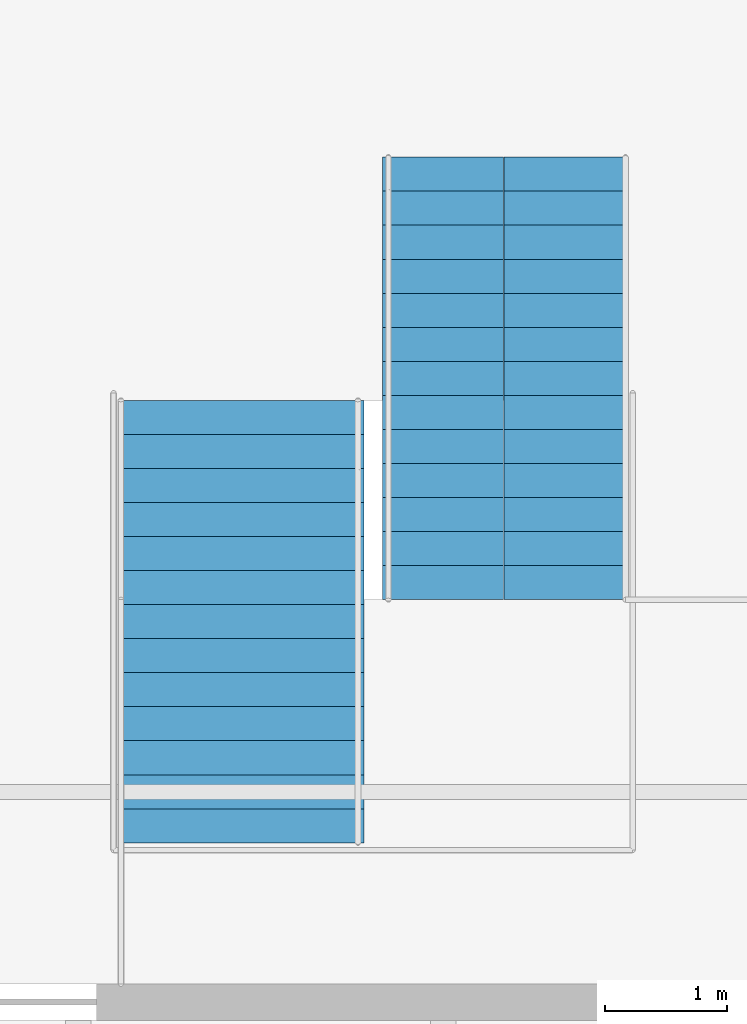
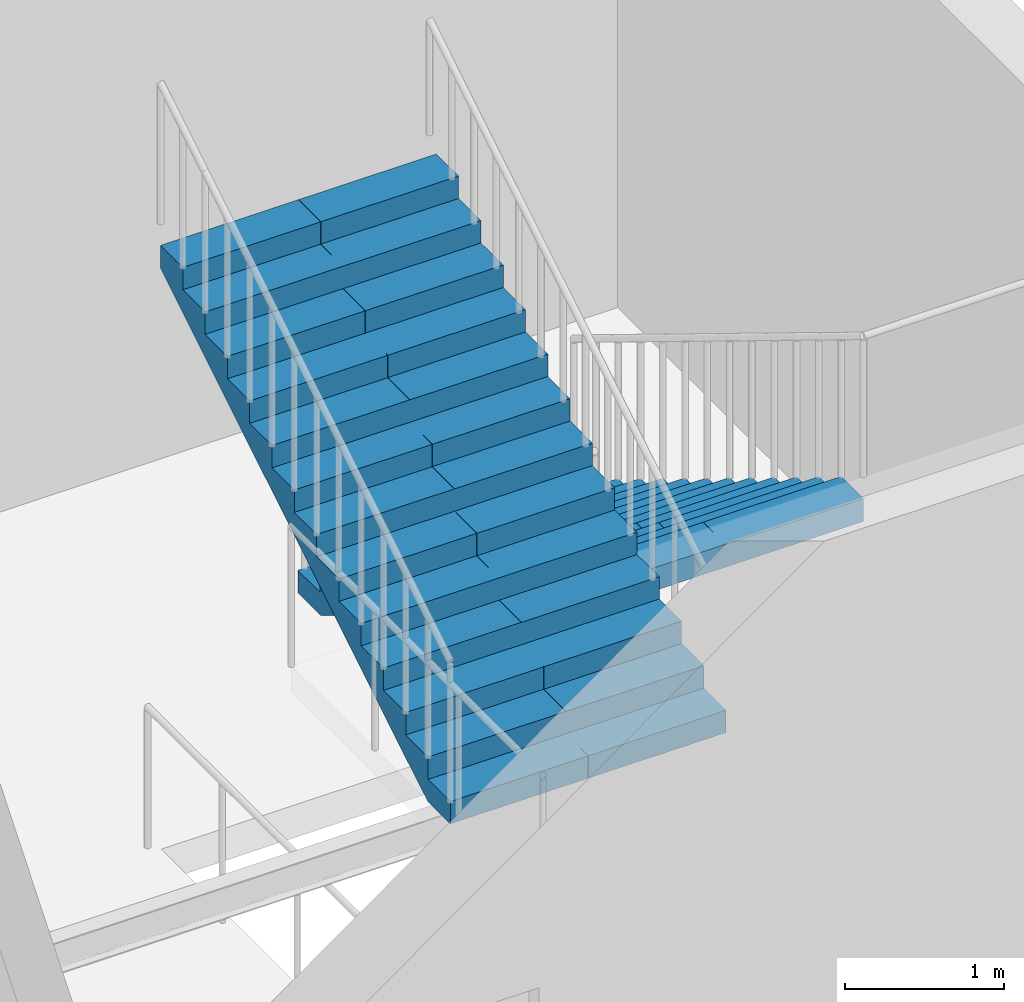
# One storey, part 22 of 31: 2 stair flights, 1 element without a shape of its own.
"""IFC4 building model written with IfcOpenShell, lengths in metres."""

from ifc_helpers import new_model, si_unit, direction, frame, origin, place, context, subcontext, project, spatial, polyline, outline, extrude, material, type_object, element, aggregate, save


model = new_model("IFC4")

# Units and contexts
model_context = context("Model", 3, precision=1e-05, world=origin(), true_north=direction((0.0, 1.0)))
body_context = subcontext(model_context, "Body", "Model", "MODEL_VIEW")
ifc_project = project(units=[si_unit("LENGTHUNIT", "METRE"), si_unit("AREAUNIT", "SQUARE_METRE"), si_unit("VOLUMEUNIT", "CUBIC_METRE"), si_unit("PLANEANGLEUNIT", "RADIAN"), si_unit("MASSUNIT", "GRAM", prefix="KILO")], contexts=[model_context])

# Site, building, storey
site_placement = place(None, origin())
site = spatial("IfcSite", under=ifc_project, at=site_placement, CompositionType="ELEMENT")
building_placement = place(site_placement, origin())
building = spatial("IfcBuilding", under=site, at=building_placement, Name="Halyard Row Museum", CompositionType="ELEMENT")
storey_placement = place(building_placement, frame((0.0, 0.0, -4.800048828125)))
storey = spatial("IfcBuildingStorey", under=building, at=storey_placement, Name="B1", CompositionType="ELEMENT", Elevation=-4.800048828125)

# Stair, stair flights
ifc_material_1 = material(Name="Concrete 40 MPa", Category="concrete")
stair_type = type_object("IfcStairType", Name="Exit stair two flights 2000", PredefinedType="HALF_TURN_STAIR", material=ifc_material_1)
stair_placement = place(storey_placement, origin())
stair = element("IfcStair", 1, at=stair_placement, inside=storey, type_object=stair_type, Name="Exit stair K5B B1", PredefinedType="HALF_TURN_STAIR")
ifc_material_2 = material(Name="Concrete 40 MPa", Category="concrete")
stair_flight_type = type_object("IfcStairFlightType", Name="Exit stair flight 2000", PredefinedType="STRAIGHT", material=ifc_material_2)
stair_flight_1_placement = place(storey_placement, frame((105.5, 61.10009765625, 0.0), z_axis=(0.0, 0.0, 1.0), x_axis=(0.0, -1.0, 0.0)))
stair_flight_1 = element("IfcStairFlight", 2, at=stair_flight_1_placement, type_object=stair_flight_type, Name="STK5B-B1 flight 1", NumberOfRisers=14, NumberOfTreads=13, PredefinedType="STRAIGHT", RiserHeight=0.171428571, TreadLength=0.28, context=body_context, shape_type="SweptSolid", body=[
    extrude(outline(polyline([(0.0, 0.0), (0.0, 0.17138671875), (0.280029296875, 0.17138671875), (0.280029296875, 0.3427734375), (0.56005859375, 0.3427734375), (0.56005859375, 0.514404296875), (0.840087890625, 0.514404296875), (0.840087890625, 0.685791015625), (1.1201171875, 0.685791015625), (1.1201171875, 0.857177734375), (1.39990234375, 0.857177734375), (1.39990234375, 1.028564453125), (1.679931640625, 1.028564453125), (1.679931640625, 1.199951171875), (1.9599609375, 1.199951171875), (1.9599609375, 1.371337890625), (2.239990234375, 1.371337890625), (2.239990234375, 1.54296875), (2.52001953125, 1.54296875), (2.52001953125, 1.71435546875), (2.800048828125, 1.71435546875), (2.800048828125, 1.8857421875), (3.080078125, 1.8857421875), (3.080078125, 2.05712890625), (3.360107421875, 2.05712890625), (3.360107421875, 2.228515625), (3.639892578125, 2.228515625), (3.639892578125, 2.39990234375), (3.639892578125, 2.052734375), (0.287109375, 0.0), (0.0, 0.0)])), frame((0.0, 1.0, 0.0), z_axis=(0.0, -1.0, 0.0), x_axis=(1.0, 0.0, 0.0)), (0.0, 0.0, 1.0), 0.9990234375),
    extrude(outline(polyline([(0.0, 0.0), (0.0, 0.17138671875), (0.280029296875, 0.17138671875), (0.280029296875, 0.3427734375), (0.56005859375, 0.3427734375), (0.56005859375, 0.514404296875), (0.840087890625, 0.514404296875), (0.840087890625, 0.685791015625), (1.1201171875, 0.685791015625), (1.1201171875, 0.857177734375), (1.39990234375, 0.857177734375), (1.39990234375, 1.028564453125), (1.679931640625, 1.028564453125), (1.679931640625, 1.199951171875), (1.9599609375, 1.199951171875), (1.9599609375, 1.371337890625), (2.239990234375, 1.371337890625), (2.239990234375, 1.54296875), (2.52001953125, 1.54296875), (2.52001953125, 1.71435546875), (2.800048828125, 1.71435546875), (2.800048828125, 1.8857421875), (3.080078125, 1.8857421875), (3.080078125, 2.05712890625), (3.360107421875, 2.05712890625), (3.360107421875, 2.228515625), (3.639892578125, 2.228515625), (3.639892578125, 2.39990234375), (3.639892578125, 2.052734375), (0.287109375, 0.0), (0.0, 0.0)])), frame((0.0, -0.0009765625, 0.0), z_axis=(0.0, -1.0, 0.0), x_axis=(1.0, 0.0, 0.0)), (0.0, 0.0, 1.0), 0.9990234375),
])
stair_flight_2_placement = place(storey_placement, frame((103.35009765625, 55.4599609375, 2.400146484375), z_axis=(0.0, 0.0, 1.0), x_axis=(0.0, 1.0, 0.0)))
stair_flight_2 = element("IfcStairFlight", 3, at=stair_flight_2_placement, type_object=stair_flight_type, Name="STK5B-B1 flight 2", NumberOfRisers=14, NumberOfTreads=13, PredefinedType="STRAIGHT", RiserHeight=0.171428571, TreadLength=0.28, context=body_context, shape_type="SweptSolid", body=[
    extrude(outline(polyline([(0.0, 0.0), (0.0, 0.17138671875), (0.280029296875, 0.17138671875), (0.280029296875, 0.3427734375), (0.56005859375, 0.3427734375), (0.56005859375, 0.514404296875), (0.840087890625, 0.514404296875), (0.840087890625, 0.685791015625), (1.1201171875, 0.685791015625), (1.1201171875, 0.857177734375), (1.39990234375, 0.857177734375), (1.39990234375, 1.028564453125), (1.679931640625, 1.028564453125), (1.679931640625, 1.199951171875), (1.9599609375, 1.199951171875), (1.9599609375, 1.371337890625), (2.239990234375, 1.371337890625), (2.239990234375, 1.54296875), (2.52001953125, 1.54296875), (2.52001953125, 1.71435546875), (2.800048828125, 1.71435546875), (2.800048828125, 1.8857421875), (3.080078125, 1.8857421875), (3.080078125, 2.05712890625), (3.360107421875, 2.05712890625), (3.360107421875, 2.228515625), (3.639892578125, 2.228515625), (3.639892578125, 2.39990234375), (3.639892578125, 2.052734375), (0.287109375, 0.0), (0.0, 0.0)])), frame((0.0, 1.0, 0.0), z_axis=(0.0, -1.0, 0.0), x_axis=(1.0, 0.0, 0.0)), (0.0, 0.0, 1.0), 0.9990234375),
    extrude(outline(polyline([(0.0, 0.0), (0.0, 0.17138671875), (0.280029296875, 0.17138671875), (0.280029296875, 0.3427734375), (0.56005859375, 0.3427734375), (0.56005859375, 0.514404296875), (0.840087890625, 0.514404296875), (0.840087890625, 0.685791015625), (1.1201171875, 0.685791015625), (1.1201171875, 0.857177734375), (1.39990234375, 0.857177734375), (1.39990234375, 1.028564453125), (1.679931640625, 1.028564453125), (1.679931640625, 1.199951171875), (1.9599609375, 1.199951171875), (1.9599609375, 1.371337890625), (2.239990234375, 1.371337890625), (2.239990234375, 1.54296875), (2.52001953125, 1.54296875), (2.52001953125, 1.71435546875), (2.800048828125, 1.71435546875), (2.800048828125, 1.8857421875), (3.080078125, 1.8857421875), (3.080078125, 2.05712890625), (3.360107421875, 2.05712890625), (3.360107421875, 2.228515625), (3.639892578125, 2.228515625), (3.639892578125, 2.39990234375), (3.639892578125, 2.052734375), (0.287109375, 0.0), (0.0, 0.0)])), frame((0.0, -0.0009765625, 0.0), z_axis=(0.0, -1.0, 0.0), x_axis=(1.0, 0.0, 0.0)), (0.0, 0.0, 1.0), 0.9990234375),
])
aggregate(stair, [stair_flight_1, stair_flight_2])

save(model, "model.ifc")
